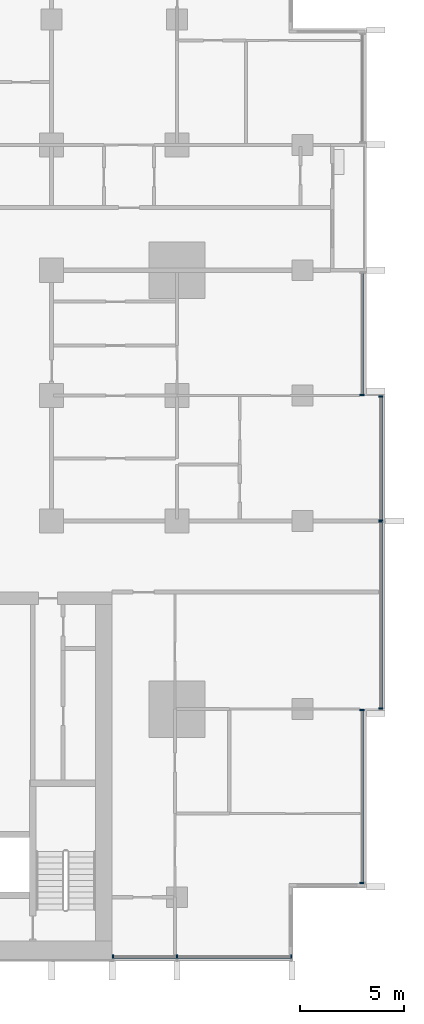
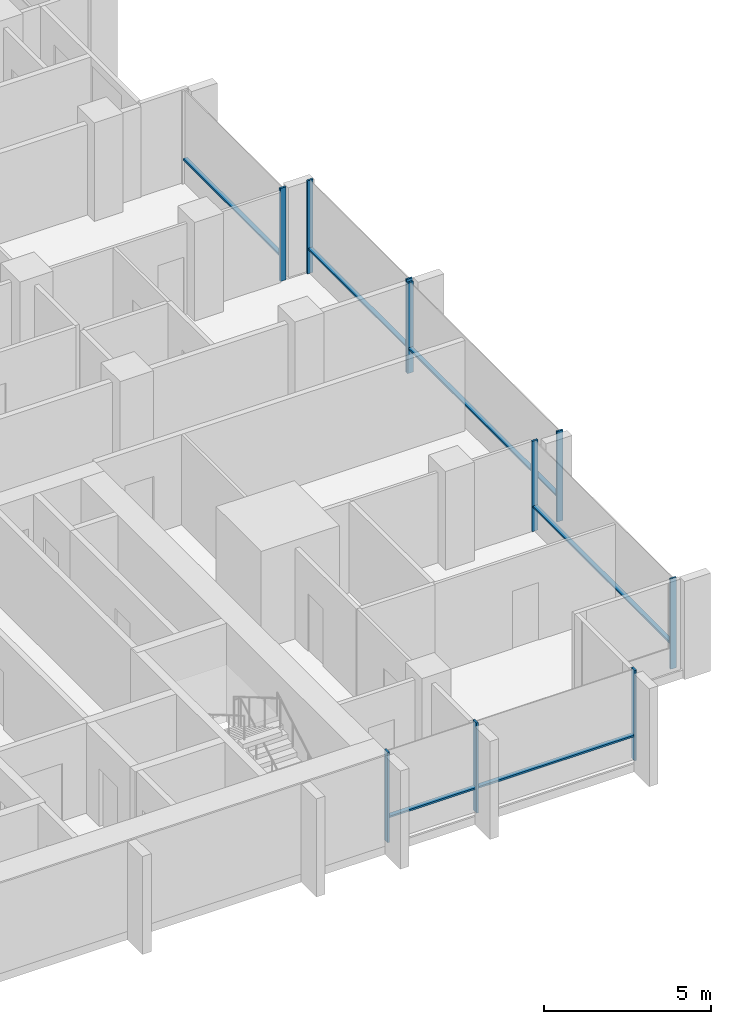
# One storey, part 3 of 17: 16 members, 5 elements without a shape of their own.
"""IFC4 building model written with IfcOpenShell, lengths in metres."""

from ifc_helpers import new_model, si_unit, direction, frame, origin, origin_2d, place, context, subcontext, project, spatial, rectangle, extrude, material, material_profile, profile_set, type_object, element, aggregate, save


model = new_model("IFC4")

# Units and contexts
model_context = context("Model", 3, precision=1e-05, world=origin(), true_north=direction((0.0, 1.0)))
body_context = subcontext(model_context, "Body", "Model", "MODEL_VIEW")
ifc_project = project(units=[si_unit("LENGTHUNIT", "METRE"), si_unit("AREAUNIT", "SQUARE_METRE"), si_unit("VOLUMEUNIT", "CUBIC_METRE"), si_unit("PLANEANGLEUNIT", "RADIAN"), si_unit("MASSUNIT", "GRAM", prefix="KILO")], contexts=[model_context])

# Site, building, storey
site_placement = place(None, origin())
site = spatial("IfcSite", under=ifc_project, at=site_placement, CompositionType="ELEMENT")
building_placement = place(site_placement, origin())
building = spatial("IfcBuilding", under=site, at=building_placement, Name="Finial Court Residences", CompositionType="ELEMENT")
storey_placement = place(building_placement, frame((0.0, 0.0, 91.89990234375)))
storey = spatial("IfcBuildingStorey", under=building, at=storey_placement, Name="L22", CompositionType="ELEMENT", Elevation=91.89990234375)

# Curtain wall, members
ifc_material = material(Name="Bronze anodised aluminium", Category="aluminium")
curtain_wall_type = type_object("IfcCurtainWallType", Name="Unitised curtain wall, lower and middle zones", PredefinedType="NOTDEFINED", material=ifc_material)
curtain_wall_1_placement = place(storey_placement, origin())
curtain_wall_1 = element("IfcCurtainWall", 1, at=curtain_wall_1_placement, inside=storey, type_object=curtain_wall_type, Name="E-L22-CW-E5", PredefinedType="NOTDEFINED")
ifc_material_profile_1 = material_profile(ifc_material, rectangle(XDim=0.199951171875, YDim=0.06494140625, at=origin_2d()), Name="CW1 mullion 65 x 200")
ifc_profile_set_1 = profile_set([ifc_material_profile_1], Name="Bronze anodised aluminium")
member_type_1 = type_object("IfcMemberType", Name="CW1 mullion 65 x 200", PredefinedType="MULLION", material=ifc_profile_set_1)
member_1_placement = place(storey_placement, frame((25.35009765625, -21.8173828125, 0.0), z_axis=(0.0, 0.0, 1.0), x_axis=(-1.0, 0.0, 0.0)))
member_1 = element("IfcMember", 2, at=member_1_placement, type_object=member_type_1, Name="CW1 mullion 1", PredefinedType="MULLION", context=body_context, shape_type="SweptSolid", body=[
    extrude(rectangle(XDim=0.199951171875, YDim=0.06494140625, at=origin_2d()), origin(), (0.0, 0.0, 1.0), 3.300048828125),
])
member_2_placement = place(storey_placement, frame((25.35009765625, -13.532470703125, 0.0), z_axis=(0.0, 0.0, 1.0), x_axis=(-1.0, 0.0, 0.0)))
member_2 = element("IfcMember", 3, at=member_2_placement, type_object=member_type_1, Name="CW1 mullion 2", PredefinedType="MULLION", context=body_context, shape_type="SweptSolid", body=[
    extrude(rectangle(XDim=0.199951171875, YDim=0.06494140625, at=origin_2d()), origin(), (0.0, 0.0, 1.0), 3.300048828125),
])

curtain_wall_2_placement = place(storey_placement, origin())
curtain_wall_2 = element("IfcCurtainWall", 4, at=curtain_wall_2_placement, inside=storey, type_object=curtain_wall_type, Name="E-L22-CW-E6", PredefinedType="NOTDEFINED")
member_3_placement = place(storey_placement, frame((26.25, -13.467529296875, 0.0), z_axis=(0.0, 0.0, 1.0), x_axis=(-1.0, 0.0, 0.0)))
member_3 = element("IfcMember", 5, at=member_3_placement, type_object=member_type_1, Name="CW1 mullion 1", PredefinedType="MULLION", context=body_context, shape_type="SweptSolid", body=[
    extrude(rectangle(XDim=0.199951171875, YDim=0.06494140625, at=origin_2d()), origin(), (0.0, 0.0, 1.0), 3.300048828125),
])
member_4_placement = place(storey_placement, frame((26.25, -4.532470703125, 0.0), z_axis=(0.0, 0.0, 1.0), x_axis=(-1.0, 0.0, 0.0)))
member_4 = element("IfcMember", 6, at=member_4_placement, type_object=member_type_1, Name="CW1 mullion 2", PredefinedType="MULLION", context=body_context, shape_type="SweptSolid", body=[
    extrude(rectangle(XDim=0.199951171875, YDim=0.06494140625, at=origin_2d()), origin(), (0.0, 0.0, 1.0), 3.300048828125),
])

curtain_wall_3_placement = place(storey_placement, origin())
curtain_wall_3 = element("IfcCurtainWall", 7, at=curtain_wall_3_placement, inside=storey, type_object=curtain_wall_type, Name="E-L22-CW-E7", PredefinedType="NOTDEFINED")
member_5_placement = place(storey_placement, frame((26.25, -4.467529296875, 0.0), z_axis=(0.0, 0.0, 1.0), x_axis=(-1.0, 0.0, 0.0)))
member_5 = element("IfcMember", 8, at=member_5_placement, type_object=member_type_1, Name="CW1 mullion 1", PredefinedType="MULLION", context=body_context, shape_type="SweptSolid", body=[
    extrude(rectangle(XDim=0.199951171875, YDim=0.06494140625, at=origin_2d()), origin(), (0.0, 0.0, 1.0), 3.400146484375),
])
member_6_placement = place(storey_placement, frame((26.25, 1.467529296875, 0.0), z_axis=(0.0, 0.0, 1.0), x_axis=(-1.0, 0.0, 0.0)))
member_6 = element("IfcMember", 9, at=member_6_placement, type_object=member_type_1, Name="CW1 mullion 2", PredefinedType="MULLION", context=body_context, shape_type="SweptSolid", body=[
    extrude(rectangle(XDim=0.199951171875, YDim=0.06494140625, at=origin_2d()), origin(), (0.0, 0.0, 1.0), 3.400146484375),
])

# Curtain wall, member
curtain_wall_4_placement = place(storey_placement, origin())
curtain_wall_4 = element("IfcCurtainWall", 10, at=curtain_wall_4_placement, inside=storey, type_object=curtain_wall_type, Name="E-L22-CW-E8", PredefinedType="NOTDEFINED")
member_7_placement = place(storey_placement, frame((25.35009765625, 1.532470703125, 0.0), z_axis=(0.0, 0.0, 1.0), x_axis=(-1.0, 0.0, 0.0)))
member_7 = element("IfcMember", 11, at=member_7_placement, type_object=member_type_1, Name="CW1 mullion 1", PredefinedType="MULLION", context=body_context, shape_type="SweptSolid", body=[
    extrude(rectangle(XDim=0.199951171875, YDim=0.06494140625, at=origin_2d()), origin(), (0.0, 0.0, 1.0), 3.400146484375),
])

# Curtain wall, members
curtain_wall_5_placement = place(storey_placement, origin())
curtain_wall_5 = element("IfcCurtainWall", 12, at=curtain_wall_5_placement, inside=storey, type_object=curtain_wall_type, Name="E-L22-CW-S11", PredefinedType="NOTDEFINED")
member_8_placement = place(storey_placement, frame((13.4326171875, -25.35009765625, 0.0), z_axis=(0.0, 0.0, 1.0), x_axis=(0.0, 1.0, 0.0)))
member_8 = element("IfcMember", 13, at=member_8_placement, type_object=member_type_1, Name="CW1 mullion 1", PredefinedType="MULLION", context=body_context, shape_type="SweptSolid", body=[
    extrude(rectangle(XDim=0.199951171875, YDim=0.06494140625, at=origin_2d()), origin(), (0.0, 0.0, 1.0), 3.300048828125),
])
member_9_placement = place(storey_placement, frame((16.5, -25.35009765625, 0.0), z_axis=(0.0, 0.0, 1.0), x_axis=(0.0, 1.0, 0.0)))
member_9 = element("IfcMember", 14, at=member_9_placement, type_object=member_type_1, Name="CW1 mullion 2", PredefinedType="MULLION", context=body_context, shape_type="SweptSolid", body=[
    extrude(rectangle(XDim=0.199951171875, YDim=0.06494140625, at=origin_2d()), origin(), (0.0, 0.0, 1.0), 3.300048828125),
])
member_10_placement = place(storey_placement, frame((21.967529296875, -25.35009765625, 0.0), z_axis=(0.0, 0.0, 1.0), x_axis=(0.0, 1.0, 0.0)))
member_10 = element("IfcMember", 15, at=member_10_placement, type_object=member_type_1, Name="CW1 mullion 3", PredefinedType="MULLION", context=body_context, shape_type="SweptSolid", body=[
    extrude(rectangle(XDim=0.199951171875, YDim=0.06494140625, at=origin_2d()), origin(), (0.0, 0.0, 1.0), 3.300048828125),
])

# Member
ifc_material_profile_2 = material_profile(ifc_material, rectangle(XDim=0.14990234375, YDim=0.06494140625, at=origin_2d()), Name="CW1 transom 65 x 150")
ifc_profile_set_2 = profile_set([ifc_material_profile_2], Name="Bronze anodised aluminium")
member_type_2 = type_object("IfcMemberType", Name="CW1 transom 65 x 150", PredefinedType="USERDEFINED", material=ifc_profile_set_2)
member_11_placement = place(storey_placement, frame((25.35009765625, -21.784912109375, 0.900146484375), z_axis=(0.0, 1.0, 0.0), x_axis=(-1.0, 0.0, 0.0)))
member_11 = element("IfcMember", 16, at=member_11_placement, type_object=member_type_2, Name="CW1 transom 1.1", ObjectType="TRANSOM", PredefinedType="USERDEFINED", context=body_context, shape_type="SweptSolid", body=[
    extrude(rectangle(XDim=0.14990234375, YDim=0.06494140625, at=origin_2d()), origin(), (0.0, 0.0, 1.0), 8.219970703125),
])

aggregate(curtain_wall_1, [member_1, member_2, member_11])

member_12_placement = place(storey_placement, frame((26.25, -13.43505859375, 0.900146484375), z_axis=(0.0, 1.0, 0.0), x_axis=(-1.0, 0.0, 0.0)))
member_12 = element("IfcMember", 17, at=member_12_placement, type_object=member_type_2, Name="CW1 transom 1.1", ObjectType="TRANSOM", PredefinedType="USERDEFINED", context=body_context, shape_type="SweptSolid", body=[
    extrude(rectangle(XDim=0.14990234375, YDim=0.06494140625, at=origin_2d()), origin(), (0.0, 0.0, 1.0), 8.8701171875),
])

aggregate(curtain_wall_2, [member_3, member_4, member_12])

member_13_placement = place(storey_placement, frame((26.25, -4.43505859375, 0.900146484375), z_axis=(0.0, 1.0, 0.0), x_axis=(-1.0, 0.0, 0.0)))
member_13 = element("IfcMember", 18, at=member_13_placement, type_object=member_type_2, Name="CW1 transom 1.1", ObjectType="TRANSOM", PredefinedType="USERDEFINED", context=body_context, shape_type="SweptSolid", body=[
    extrude(rectangle(XDim=0.14990234375, YDim=0.06494140625, at=origin_2d()), origin(), (0.0, 0.0, 1.0), 5.8701171875),
])

aggregate(curtain_wall_3, [member_5, member_6, member_13])

member_14_placement = place(storey_placement, frame((25.35009765625, 1.56494140625, 0.900146484375), z_axis=(0.0, 1.0, 0.0), x_axis=(-1.0, 0.0, 0.0)))
member_14 = element("IfcMember", 19, at=member_14_placement, type_object=member_type_2, Name="CW1 transom 1.1", ObjectType="TRANSOM", PredefinedType="USERDEFINED", context=body_context, shape_type="SweptSolid", body=[
    extrude(rectangle(XDim=0.14990234375, YDim=0.06494140625, at=origin_2d()), origin(), (0.0, 0.0, 1.0), 5.795166015625),
])

aggregate(curtain_wall_4, [member_7, member_14])

member_15_placement = place(storey_placement, frame((13.465087890625, -25.35009765625, 0.900146484375), z_axis=(1.0, 0.0, 0.0), x_axis=(0.0, 1.0, 0.0)))
member_15 = element("IfcMember", 20, at=member_15_placement, type_object=member_type_2, Name="CW1 transom 1.1", ObjectType="TRANSOM", PredefinedType="USERDEFINED", context=body_context, shape_type="SweptSolid", body=[
    extrude(rectangle(XDim=0.14990234375, YDim=0.06494140625, at=origin_2d()), origin(), (0.0, 0.0, 1.0), 3.00244140625),
])

member_16_placement = place(storey_placement, frame((16.532470703125, -25.35009765625, 0.900146484375), z_axis=(1.0, 0.0, 0.0), x_axis=(0.0, 1.0, 0.0)))
member_16 = element("IfcMember", 21, at=member_16_placement, type_object=member_type_2, Name="CW1 transom 2.1", ObjectType="TRANSOM", PredefinedType="USERDEFINED", context=body_context, shape_type="SweptSolid", body=[
    extrude(rectangle(XDim=0.14990234375, YDim=0.06494140625, at=origin_2d()), origin(), (0.0, 0.0, 1.0), 5.402587890625),
])

aggregate(curtain_wall_5, [member_8, member_9, member_10, member_15, member_16])

save(model, "model.ifc")
